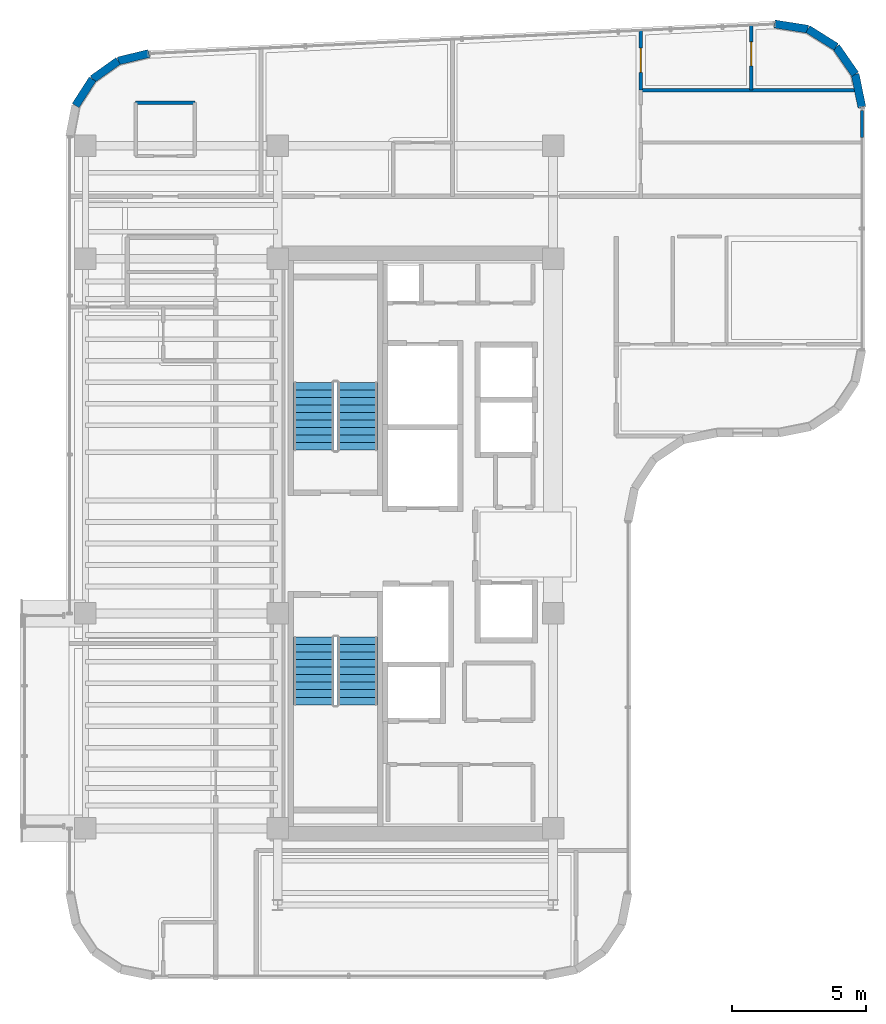
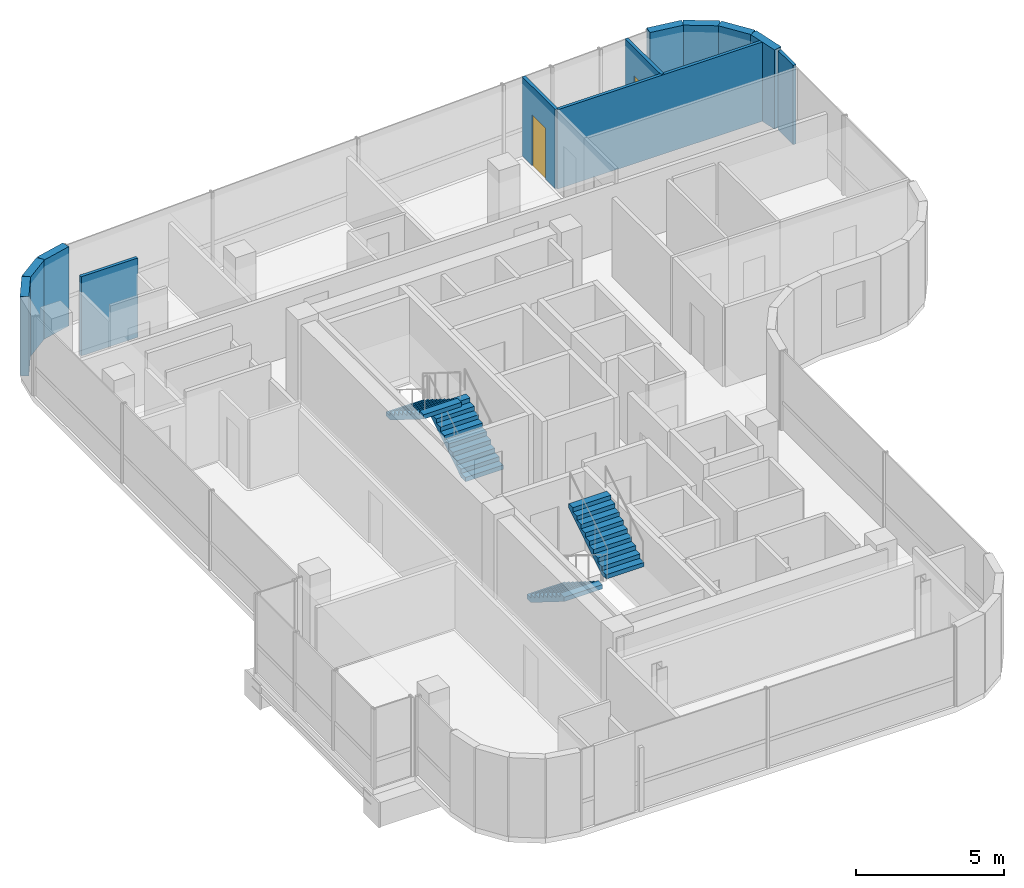
# One storey, part 17 of 19: 12 walls, 4 stair flights, 2 doors, 2 openings, 2 elements without a shape of their own.
"""IFC4 building model written with IfcOpenShell, lengths in metres."""

import ifcopenshell
import ifcopenshell.guid

model = None  # the IFC model being written
_history = None  # IfcOwnerHistory: only IFC2X3 demands one
_inside = {}  # id of a spatial element -> (the spatial element, [elements in it])
_under = {}  # id of a project, library or spatial element -> (it, [spatial elements below it])
_declared = {}  # id of a project -> (the project, [libraries it declares])
_typed = {}  # id of a type object -> (the type object, [elements of that type])
_made_of = {}  # id of a material, layer set ... -> (it, [elements and type objects made of it])


def new_model(schema):
    """Start an empty IFC model of exactly this schema.

    Asked for "IFC4X3", IfcOpenShell would pick the latest addendum, in which some entities
    have other attributes; the version numbers below select the first issue.
    IFC2X3 requires an IfcOwnerHistory on every rooted entity: one is made here for all.
    """
    global model, _history
    if schema == "IFC4X3":
        model = ifcopenshell.file(schema_version=(4, 3, 0, 0))
    else:
        model = ifcopenshell.file(schema=schema)
    _inside.clear()
    _under.clear()
    _declared.clear()
    _typed.clear()
    _made_of.clear()
    _history = None
    if model.schema == "IFC2X3":
        org = make("IfcOrganization", Name="unknown")
        user = make(
            "IfcPersonAndOrganization",
            ThePerson=make("IfcPerson", FamilyName="unknown"),
            TheOrganization=org,
        )
        app = make(
            "IfcApplication",
            ApplicationDeveloper=org,
            Version="unknown",
            ApplicationFullName="unknown",
            ApplicationIdentifier="unknown",
        )
        _history = make(
            "IfcOwnerHistory",
            OwningUser=user,
            OwningApplication=app,
            ChangeAction="ADDED",
            CreationDate=0,
        )
    return model


def make(cls, **values):
    """One entity of the class cls with the attributes given. An attribute that is None is left unset."""
    return model.create_entity(
        cls, **{name: value for name, value in values.items() if value is not None}
    )


def rooted(cls, **values):
    """An entity with a GlobalId (a new one), such as an element, a storey or a relation."""
    return make(cls, GlobalId=ifcopenshell.guid.new(), OwnerHistory=_history, **values)


def si_unit(unit_type, name, prefix=None):
    """IfcSIUnit, for example si_unit("LENGTHUNIT", "METRE", prefix="MILLI")."""
    return make("IfcSIUnit", UnitType=unit_type, Prefix=prefix, Name=name)


def assignment(units):
    """IfcUnitAssignment: the units of a project."""
    return None if units is None else make("IfcUnitAssignment", Units=units)


def point(xyz):
    """IfcCartesianPoint."""
    return None if xyz is None else make("IfcCartesianPoint", Coordinates=xyz)


def direction(xyz):
    """IfcDirection."""
    return None if xyz is None else make("IfcDirection", DirectionRatios=xyz)


def frame(location, z_axis=None, x_axis=None):
    """IfcAxis2Placement3D, a coordinate frame: its origin and axes. An axis left out is left unset."""
    return make(
        "IfcAxis2Placement3D",
        Location=point(location),
        Axis=direction(z_axis),
        RefDirection=direction(x_axis),
    )


def frame_2d(location, x_axis=None):
    """IfcAxis2Placement2D, a coordinate frame in the plane: its origin and x axis."""
    return make(
        "IfcAxis2Placement2D", Location=point(location), RefDirection=direction(x_axis)
    )


def origin():
    """The frame at (0, 0, 0) with its axes left unset."""
    return frame((0.0, 0.0, 0.0))


def place(relative_to, where):
    """IfcLocalPlacement: puts the frame where relative to a parent placement (None: the world)."""
    return make(
        "IfcLocalPlacement", PlacementRelTo=relative_to, RelativePlacement=where
    )


def context(
    kind, dimensions, precision=None, world=None, true_north=None, identifier=None
):
    """IfcGeometricRepresentationContext, for example the 3D "Model" context."""
    return make(
        "IfcGeometricRepresentationContext",
        ContextIdentifier=identifier,
        ContextType=kind,
        CoordinateSpaceDimension=dimensions,
        Precision=precision,
        WorldCoordinateSystem=world,
        TrueNorth=true_north,
    )


def subcontext(parent, identifier, kind, view, scale=None):
    """IfcGeometricRepresentationSubContext, for example "Body" below "Model"."""
    return make(
        "IfcGeometricRepresentationSubContext",
        ContextIdentifier=identifier,
        ContextType=kind,
        ParentContext=parent,
        TargetScale=scale,
        TargetView=view,
    )


def project(units=None, contexts=None):
    """IfcProject with its units and contexts."""
    return rooted(
        "IfcProject",
        Name="project",
        RepresentationContexts=contexts,
        UnitsInContext=assignment(units),
    )


def spatial(cls, under=None, at=None, **own):
    """A site, building, storey or space (cls), placed at a placement, below another one or the project."""
    s = rooted(cls, ObjectPlacement=at, **own)
    if under is not None:
        _under.setdefault(under.id(), (under, []))[1].append(s)
    return s


def polyline(points):
    """IfcPolyline through the points."""
    return make("IfcPolyline", Points=[point(p) for p in points])


def profile(cls, at=None, kind="AREA", **sizes):
    """A parametric profile (cls). Its sizes go by their IFC names, for example OverallWidth=200.0."""
    return make(cls, ProfileType=kind, Position=at, **sizes)


def rectangle(**sizes):
    """IfcRectangleProfileDef."""
    return profile("IfcRectangleProfileDef", **sizes)


def outline(outer, holes=None, kind="AREA"):
    """IfcArbitraryClosedProfileDef: a profile drawn as a closed curve; with holes, ...WithVoids."""
    if holes is None:
        return make("IfcArbitraryClosedProfileDef", ProfileType=kind, OuterCurve=outer)
    return make(
        "IfcArbitraryProfileDefWithVoids",
        ProfileType=kind,
        OuterCurve=outer,
        InnerCurves=holes,
    )


def extrude(swept, where, along, depth):
    """IfcExtrudedAreaSolid: the profile swept, set in the frame where, extruded along a direction by depth."""
    return make(
        "IfcExtrudedAreaSolid",
        SweptArea=swept,
        Position=where,
        ExtrudedDirection=direction(along),
        Depth=depth,
    )


def shape(context_of_items, identifier, shape_type, items):
    """IfcShapeRepresentation: the items that make up one representation, for example the "Body"."""
    return make(
        "IfcShapeRepresentation",
        ContextOfItems=context_of_items,
        RepresentationIdentifier=identifier,
        RepresentationType=shape_type,
        Items=items,
    )


def material(Name=None, Category=None):
    """IfcMaterial."""
    return make("IfcMaterial", Name=Name, Category=Category)


def layer(
    of_material, thickness, ventilated=None, Name=None, Category=None, Priority=None
):
    """IfcMaterialLayer: one layer of a wall or slab, of a material (None: an air gap)."""
    return make(
        "IfcMaterialLayer",
        Material=of_material,
        LayerThickness=thickness,
        IsVentilated=ventilated,
        Name=Name,
        Category=Category,
        Priority=Priority,
    )


def layer_set(layers, Name=None):
    """IfcMaterialLayerSet."""
    return make("IfcMaterialLayerSet", MaterialLayers=layers, LayerSetName=Name)


def made_of(thing, what):
    """Note that an element or type object is made of a material, layer set ...; save() writes the relation."""
    if what is not None:
        _made_of.setdefault(what.id(), (what, []))[1].append(thing)
    return thing


def type_object(cls, material=None, **own):
    """A type object (cls), such as IfcWallType, which elements share."""
    return made_of(rooted(cls, **own), material)


def element(
    cls,
    number,
    at=None,
    inside=None,
    cuts=None,
    type_object=None,
    material=None,
    context=None,
    identifier="Body",
    shape_type=None,
    held_by="IfcProductDefinitionShape",
    body=None,
    shapes=None,
    **own,
):
    """One element of the class cls, such as IfcWall. Its Tag is "e" and its number.

    at: its placement. inside: the storey or other place that contains it. cuts: it is an
    opening in that element (IfcRelVoidsElement). A single representation is given by context,
    identifier, shape_type and body (its items); several are given by shapes. held_by: the class
    of the entity that holds the representations. save() writes the other relations.
    """
    e = rooted(cls, Tag="e%d" % number, ObjectPlacement=at, **own)
    if body is not None:
        shapes = [shape(context, identifier, shape_type, body)]
    if shapes is not None:
        e.Representation = make(held_by, Representations=shapes)
    if inside is not None:
        _inside.setdefault(inside.id(), (inside, []))[1].append(e)
    if cuts is not None:
        rooted(
            "IfcRelVoidsElement", RelatingBuildingElement=cuts, RelatedOpeningElement=e
        )
    if type_object is not None:
        _typed.setdefault(type_object.id(), (type_object, []))[1].append(e)
    return made_of(e, material)


def fill(opening, filler):
    """IfcRelFillsElement: the door or window that sits in an opening."""
    return rooted(
        "IfcRelFillsElement",
        RelatingOpeningElement=opening,
        RelatedBuildingElement=filler,
    )


def aggregate(whole, parts):
    """IfcRelAggregates: a whole, such as a stair, and the parts it consists of."""
    return rooted("IfcRelAggregates", RelatingObject=whole, RelatedObjects=parts)


def save(model, path):
    """Write the relations noted so far, then the file.

    IfcRelAggregates (storeys below a building ...), IfcRelContainedInSpatialStructure (elements
    in a storey), IfcRelDefinesByType, IfcRelAssociatesMaterial and IfcRelDeclares: one each for
    every whole, place, type object, material and project.
    """
    for whole, parts in _under.values():
        aggregate(whole, parts)
    for where, things in _inside.values():
        rooted(
            "IfcRelContainedInSpatialStructure",
            RelatedElements=things,
            RelatingStructure=where,
        )
    for kind, things in _typed.values():
        rooted("IfcRelDefinesByType", RelatedObjects=things, RelatingType=kind)
    for what, things in _made_of.values():
        rooted("IfcRelAssociatesMaterial", RelatedObjects=things, RelatingMaterial=what)
    for by, libraries in _declared.values():
        rooted("IfcRelDeclares", RelatingContext=by, RelatedDefinitions=libraries)
    model.write(path)


model = new_model("IFC4")

# Units and contexts
model_context = context("Model", 3, precision=1e-05, world=origin(), true_north=direction((0.0, 1.0)))
body_context = subcontext(model_context, "Body", "Model", "MODEL_VIEW")
ifc_project = project(units=[si_unit("LENGTHUNIT", "METRE"), si_unit("AREAUNIT", "SQUARE_METRE"), si_unit("VOLUMEUNIT", "CUBIC_METRE"), si_unit("PLANEANGLEUNIT", "RADIAN"), si_unit("MASSUNIT", "GRAM", prefix="KILO")], contexts=[model_context])

# Site, building, storey
site_placement = place(None, origin())
site = spatial("IfcSite", under=ifc_project, at=site_placement, CompositionType="ELEMENT")
building_placement = place(site_placement, origin())
building = spatial("IfcBuilding", under=site, at=building_placement, Name="Valdorenza Pilgrim Sanctuary Tower", CompositionType="ELEMENT")
storey_placement = place(building_placement, frame((0.0, 0.0, 266.0)))
storey = spatial("IfcBuildingStorey", under=building, at=storey_placement, Name="L69", CompositionType="ELEMENT", Elevation=266.0)

# Walls
ifc_material_1 = material(Name="Honed travertine limestone", Category="masonry")
ifc_layer_1 = layer(ifc_material_1, 0.300048828125, Name="Honed travertine limestone")
ifc_layer_set_1 = layer_set([ifc_layer_1], Name="Honed travertine limestone")
wall_type_1 = type_object("IfcWallType", Name="WAL-EXT-300", PredefinedType="SOLIDWALL", material=ifc_layer_set_1)
wall_1_placement = place(storey_placement, frame((-30.16650390625, 16.29541015625, 0.0), z_axis=(0.0, 0.0, 1.0), x_axis=(0.540842020947, 0.841124193195, 0.0)))
element("IfcWall", 1, at=wall_1_placement, inside=storey, type_object=wall_type_1, Name="L69 Rounded Wind-Corner Stone Pier 3", PredefinedType="SOLIDWALL", context=body_context, shape_type="SweptSolid", body=[
    extrude(rectangle(XDim=1.169189453125, YDim=0.300048828125, at=frame_2d((0.58447265625, 0.0))), origin(), (0.0, 0.0, 1.0), 3.260009765625),
])
wall_2_placement = place(storey_placement, frame((-29.5341796875, 17.27880859375, 0.0), z_axis=(0.0, 0.0, 1.0), x_axis=(0.81466371606, 0.579933642527, 0.0)))
element("IfcWall", 2, at=wall_2_placement, inside=storey, type_object=wall_type_1, Name="L69 Rounded Wind-Corner Stone Pier 4", PredefinedType="SOLIDWALL", context=body_context, shape_type="SweptSolid", body=[
    extrude(rectangle(XDim=1.1689453125, YDim=0.300048828125, at=frame_2d((0.58447265625, 0.0))), origin(), (0.0, 0.0, 1.0), 3.260009765625),
])
wall_3_placement = place(storey_placement, frame((-28.581787109375, 17.956787109375, 0.0), z_axis=(0.0, 0.0, 1.0), x_axis=(0.971929016595, 0.235274279725, 0.0)))
element("IfcWall", 3, at=wall_3_placement, inside=storey, type_object=wall_type_1, Name="L69 Rounded Wind-Corner Stone Pier 5", PredefinedType="SOLIDWALL", context=body_context, shape_type="SweptSolid", body=[
    extrude(rectangle(XDim=1.179931640625, YDim=0.300048828125, at=frame_2d((0.58984375, 0.0))), origin(), (0.0, 0.0, 1.0), 3.260009765625),
])
wall_4_placement = place(storey_placement, frame((-4.15673828125, 19.331787109375, 0.0), z_axis=(0.0, 0.0, 1.0), x_axis=(0.987969236552, -0.15465053387, 0.0)))
element("IfcWall", 4, at=wall_4_placement, inside=storey, type_object=wall_type_1, Name="L69 Rounded Wind-Corner Stone Pier 7", PredefinedType="SOLIDWALL", context=body_context, shape_type="SweptSolid", body=[
    extrude(rectangle(XDim=1.251953125, YDim=0.300048828125, at=frame_2d((0.6259765625, 0.0))), origin(), (0.0, 0.0, 1.0), 3.260009765625),
])
for number, where, z_axis, x_axis, name in (
    (5, (-2.919921875, 19.13818359375, 0.0), (0.0, 0.0, 1.0), (0.847489288141, -0.530812496543, 0.0), "L69 Rounded Wind-Corner Stone Pier 8"),
    (6, (-1.86865234375, 18.479736328125, 0.0), (0.0, 0.0, 1.0), (0.570181861951, -0.821518499063, 0.0), "L69 Rounded Wind-Corner Stone Pier 9"),
):
    element("IfcWall", number, at=place(storey_placement, frame(where, z_axis=z_axis, x_axis=x_axis)), inside=storey, type_object=wall_type_1, Name=name, PredefinedType="SOLIDWALL", context=body_context, shape_type="SweptSolid", body=[
        extrude(rectangle(XDim=1.240478515625, YDim=0.300048828125, at=frame_2d((0.6201171875, 0.0))), origin(), (0.0, 0.0, 1.0), 3.260009765625),
    ])
wall_5_placement = place(storey_placement, frame((-1.161376953125, 17.460693359375, 0.0), z_axis=(0.0, 0.0, 1.0), x_axis=(0.20087696073, -0.979616479367, 0.0)))
element("IfcWall", 7, at=wall_5_placement, inside=storey, type_object=wall_type_1, Name="L69 Rounded Wind-Corner Stone Pier 10", PredefinedType="SOLIDWALL", context=body_context, shape_type="SweptSolid", body=[
    extrude(rectangle(XDim=1.251953125, YDim=0.300048828125, at=frame_2d((0.6259765625, 0.0))), origin(), (0.0, 0.0, 1.0), 3.260009765625),
])
ifc_material_2 = material(Name="Moisture-resistant gypsum partition", Category="gypsum")
ifc_layer_2 = layer(ifc_material_2, 0.1201171875, Name="Moisture-resistant gypsum partition")
ifc_layer_set_2 = layer_set([ifc_layer_2], Name="Moisture-resistant gypsum partition")
wall_type_2 = type_object("IfcWallType", Name="WAL-INT-120", PredefinedType="PARTITIONING", material=ifc_layer_set_2)
wall_6_placement = place(storey_placement, frame((-27.929931640625, 16.404052734375, 0.0), z_axis=(0.0, 0.0, 1.0), x_axis=(1.0, 0.0, 0.0)))
element("IfcWall", 8, at=wall_6_placement, inside=storey, type_object=wall_type_2, Name="L69 North Family Guest Room L69-N1A En-suite Back Wall", PredefinedType="PARTITIONING", context=body_context, shape_type="SweptSolid", body=[
    extrude(rectangle(XDim=2.199951171875, YDim=0.1201171875, at=frame_2d((1.10009765625, 0.0))), origin(), (0.0, 0.0, 1.0), 3.260009765625),
])
wall_7_placement = place(storey_placement, frame((-9.1396484375, 16.8701171875, 0.0), z_axis=(0.0, 0.0, 1.0), x_axis=(1.0, 0.0, 0.0)))
element("IfcWall", 9, at=wall_7_placement, inside=storey, type_object=wall_type_2, Name="L69 North Family Flat L69-N2 Kitchen-Bedroom Wall", PredefinedType="PARTITIONING", context=body_context, shape_type="SweptSolid", body=[
    extrude(rectangle(XDim=7.9716796875, YDim=0.1201171875, at=frame_2d((3.98583984375, 0.0))), origin(), (0.0, 0.0, 1.0), 3.260009765625),
])

# Wall, opening, door
wall_8_placement = place(storey_placement, frame((-9.1396484375, 16.8701171875, 0.0), z_axis=(0.0, 0.0, 1.0), x_axis=(0.0, 1.0, 0.0)))
wall_8 = element("IfcWall", 10, at=wall_8_placement, inside=storey, type_object=wall_type_2, Name="L69 North Family Flat L69-N2 Bedroom Door Wall", PredefinedType="PARTITIONING", context=body_context, shape_type="SweptSolid", body=[
    extrude(rectangle(XDim=2.2265625, YDim=0.1201171875, at=frame_2d((1.11328125, 0.0))), origin(), (0.0, 0.0, 1.0), 3.260009765625),
])
opening_1_placement = place(wall_8_placement, frame((0.6630859375, 0.0, 0.0)))
opening_1 = element("IfcOpeningElement", 11, at=opening_1_placement, cuts=wall_8, Name="Opening DR-RM1", PredefinedType="OPENING", context=body_context, shape_type="SweptSolid", body=[
    extrude(rectangle(XDim=0.89990234375, YDim=2.10009765625, at=frame_2d((0.449951171875, 1.050048828125))), frame((0.0, 0.074951171875, 0.0), z_axis=(0.0, -1.0, 0.0), x_axis=(1.0, 0.0, 0.0)), (0.0, 0.0, 1.0), 0.14990234375),
])
ifc_material_3 = material(Name="Solid-core European oak timber", Category="wood")
door_type = type_object("IfcDoorType", Name="DR-ROOM-900", OperationType="NOTDEFINED", PredefinedType="DOOR", material=ifc_material_3)
door_1_placement = place(opening_1_placement, frame((0.89990234375, 0.0, 0.0), z_axis=(0.0, 0.0, 1.0), x_axis=(-1.0, 0.0, 0.0)))
door_1 = element("IfcDoor", 12, at=door_1_placement, inside=storey, type_object=door_type, Name="L69 North Family Flat L69-N2 Bedroom 1 Door", OperationType="SINGLE_SWING_LEFT", OverallHeight=2.10009765625, OverallWidth=0.89990234375, PredefinedType="DOOR", context=body_context, shape_type="SweptSolid", body=[
    extrude(rectangle(XDim=0.89990234375, YDim=2.10009765625, at=frame_2d((0.449951171875, 1.050048828125))), frame((0.0, 0.02490234375, 0.0), z_axis=(0.0, -1.0, 0.0), x_axis=(1.0, 0.0, 0.0)), (0.0, 0.0, 1.0), 0.050048828125),
])
fill(opening_1, door_1)

wall_9_placement = place(storey_placement, frame((-5.02490234375, 16.8701171875, 0.0), z_axis=(0.0, 0.0, 1.0), x_axis=(0.0, 1.0, 0.0)))
wall_9 = element("IfcWall", 13, at=wall_9_placement, inside=storey, type_object=wall_type_2, Name="L69 North Family Flat L69-N2 Bedroom 2 Wall", PredefinedType="PARTITIONING", context=body_context, shape_type="SweptSolid", body=[
    extrude(rectangle(XDim=2.420654296875, YDim=0.1201171875, at=frame_2d((1.21044921875, 0.0))), origin(), (0.0, 0.0, 1.0), 3.260009765625),
])
opening_2_placement = place(wall_9_placement, frame((0.89990234375, 0.0, 0.0)))
opening_2 = element("IfcOpeningElement", 14, at=opening_2_placement, cuts=wall_9, Name="Opening DR-RM1", PredefinedType="OPENING", context=body_context, shape_type="SweptSolid", body=[
    extrude(rectangle(XDim=0.89990234375, YDim=2.10009765625, at=frame_2d((0.449951171875, 1.050048828125))), frame((0.0, 0.074951171875, 0.0), z_axis=(0.0, -1.0, 0.0), x_axis=(1.0, 0.0, 0.0)), (0.0, 0.0, 1.0), 0.14990234375),
])
door_2_placement = place(opening_2_placement, origin())
door_2 = element("IfcDoor", 15, at=door_2_placement, inside=storey, type_object=door_type, Name="L69 North Family Flat L69-N2 Bedroom 2 Door", OperationType="SINGLE_SWING_RIGHT", OverallHeight=2.10009765625, OverallWidth=0.89990234375, PredefinedType="DOOR", context=body_context, shape_type="SweptSolid", body=[
    extrude(rectangle(XDim=0.89990234375, YDim=2.10009765625, at=frame_2d((0.449951171875, 1.050048828125))), frame((0.0, 0.02490234375, 0.0), z_axis=(0.0, -1.0, 0.0), x_axis=(1.0, 0.0, 0.0)), (0.0, 0.0, 1.0), 0.050048828125),
])
fill(opening_2, door_2)

# Wall
wall_10_placement = place(storey_placement, frame((-0.909912109375, 15.10009765625, 0.0), z_axis=(0.0, 0.0, 1.0), x_axis=(0.0, 1.0, 0.0)))
element("IfcWall", 16, at=wall_10_placement, inside=storey, type_object=wall_type_2, Name="L69 NW-FL2-BTH Enclosure Wall E", PredefinedType="PARTITIONING", context=body_context, shape_type="SweptSolid", body=[
    extrude(rectangle(XDim=1.01171875, YDim=0.1201171875, at=frame_2d((0.505859375, 0.0))), origin(), (0.0, 0.0, 1.0), 3.260009765625),
])

# Stair, stair flights
ifc_material_4 = material(Name="Concrete C40/50", Category="concrete")
stair_type = type_object("IfcStairType", Name="STR-DOG-CORE", PredefinedType="HALF_TURN_STAIR", material=ifc_material_4)
stair_1_placement = place(storey_placement, origin())
stair_1 = element("IfcStair", 17, at=stair_1_placement, inside=storey, type_object=stair_type, Name="L69 ST-A1", PredefinedType="HALF_TURN_STAIR")
stair_flight_type = type_object("IfcStairFlightType", Name="STF-RC-1400", PredefinedType="STRAIGHT", material=ifc_material_4)
stair_flight_1_placement = place(storey_placement, frame((-19.679931640625, 3.47998046875, 0.0), z_axis=(0.0, 0.0, 1.0), x_axis=(0.0, 1.0, 0.0)))
stair_flight_1 = element("IfcStairFlight", 18, at=stair_flight_1_placement, type_object=stair_flight_type, Name="ST-A1 flight 1", NumberOfRisers=10, NumberOfTreads=9, PredefinedType="STRAIGHT", RiserHeight=0.175, TreadLength=0.28, context=body_context, shape_type="SweptSolid", body=[
    extrude(outline(polyline([(0.0, 0.0), (0.0, 0.175048828125), (0.280029296875, 0.175048828125), (0.280029296875, 0.35009765625), (0.56005859375, 0.35009765625), (0.56005859375, 0.52490234375), (0.840087890625, 0.52490234375), (0.840087890625, 0.699951171875), (1.1201171875, 0.699951171875), (1.1201171875, 0.875), (1.39990234375, 0.875), (1.39990234375, 1.050048828125), (1.679931640625, 1.050048828125), (1.679931640625, 1.22509765625), (1.9599609375, 1.22509765625), (1.9599609375, 1.39990234375), (2.239990234375, 1.39990234375), (2.239990234375, 1.574951171875), (2.52001953125, 1.574951171875), (2.52001953125, 1.75), (2.52001953125, 1.398193359375), (0.28271484375, 0.0), (0.0, 0.0)])), frame((0.0, 0.739990234375, 0.0), z_axis=(0.0, -1.0, 0.0), x_axis=(1.0, 0.0, 0.0)), (0.0, 0.0, 1.0), 1.47998046875),
])
stair_flight_2_placement = place(storey_placement, frame((-21.31005859375, 6.0, 1.75), z_axis=(0.0, 0.0, 1.0), x_axis=(0.0, -1.0, 0.0)))
stair_flight_2 = element("IfcStairFlight", 19, at=stair_flight_2_placement, type_object=stair_flight_type, Name="ST-A1 flight 2", NumberOfRisers=10, NumberOfTreads=9, PredefinedType="STRAIGHT", RiserHeight=0.175, TreadLength=0.28, context=body_context, shape_type="SweptSolid", body=[
    extrude(outline(polyline([(0.0, 0.0), (0.0, 0.175048828125), (0.280029296875, 0.175048828125), (0.280029296875, 0.35009765625), (0.56005859375, 0.35009765625), (0.56005859375, 0.52490234375), (0.840087890625, 0.52490234375), (0.840087890625, 0.699951171875), (1.1201171875, 0.699951171875), (1.1201171875, 0.875), (1.39990234375, 0.875), (1.39990234375, 1.050048828125), (1.679931640625, 1.050048828125), (1.679931640625, 1.22509765625), (1.9599609375, 1.22509765625), (1.9599609375, 1.39990234375), (2.239990234375, 1.39990234375), (2.239990234375, 1.574951171875), (2.52001953125, 1.574951171875), (2.52001953125, 1.75), (2.52001953125, 1.398193359375), (0.28271484375, 0.0), (0.0, 0.0)])), frame((0.0, 0.739990234375, 0.0), z_axis=(0.0, -1.0, 0.0), x_axis=(1.0, 0.0, 0.0)), (0.0, 0.0, 1.0), 1.47998046875),
])
aggregate(stair_1, [stair_flight_1, stair_flight_2])

stair_2_placement = place(storey_placement, origin())
stair_2 = element("IfcStair", 20, at=stair_2_placement, inside=storey, type_object=stair_type, Name="L69 ST-A2", PredefinedType="HALF_TURN_STAIR")
stair_flight_3_placement = place(storey_placement, frame((-21.31005859375, -3.47998046875, 0.0), z_axis=(0.0, 0.0, 1.0), x_axis=(0.0, -1.0, 0.0)))
stair_flight_3 = element("IfcStairFlight", 21, at=stair_flight_3_placement, type_object=stair_flight_type, Name="ST-A2 flight 1", NumberOfRisers=10, NumberOfTreads=9, PredefinedType="STRAIGHT", RiserHeight=0.175, TreadLength=0.28, context=body_context, shape_type="SweptSolid", body=[
    extrude(outline(polyline([(0.0, 0.0), (0.0, 0.175048828125), (0.280029296875, 0.175048828125), (0.280029296875, 0.35009765625), (0.56005859375, 0.35009765625), (0.56005859375, 0.52490234375), (0.840087890625, 0.52490234375), (0.840087890625, 0.699951171875), (1.1201171875, 0.699951171875), (1.1201171875, 0.875), (1.39990234375, 0.875), (1.39990234375, 1.050048828125), (1.679931640625, 1.050048828125), (1.679931640625, 1.22509765625), (1.9599609375, 1.22509765625), (1.9599609375, 1.39990234375), (2.239990234375, 1.39990234375), (2.239990234375, 1.574951171875), (2.52001953125, 1.574951171875), (2.52001953125, 1.75), (2.52001953125, 1.398193359375), (0.28271484375, 0.0), (0.0, 0.0)])), frame((0.0, 0.739990234375, 0.0), z_axis=(0.0, -1.0, 0.0), x_axis=(1.0, 0.0, 0.0)), (0.0, 0.0, 1.0), 1.47998046875),
])
stair_flight_4_placement = place(storey_placement, frame((-19.679931640625, -6.0, 1.75), z_axis=(0.0, 0.0, 1.0), x_axis=(0.0, 1.0, 0.0)))
stair_flight_4 = element("IfcStairFlight", 22, at=stair_flight_4_placement, type_object=stair_flight_type, Name="ST-A2 flight 2", NumberOfRisers=10, NumberOfTreads=9, PredefinedType="STRAIGHT", RiserHeight=0.175, TreadLength=0.28, context=body_context, shape_type="SweptSolid", body=[
    extrude(outline(polyline([(0.0, 0.0), (0.0, 0.175048828125), (0.280029296875, 0.175048828125), (0.280029296875, 0.35009765625), (0.56005859375, 0.35009765625), (0.56005859375, 0.52490234375), (0.840087890625, 0.52490234375), (0.840087890625, 0.699951171875), (1.1201171875, 0.699951171875), (1.1201171875, 0.875), (1.39990234375, 0.875), (1.39990234375, 1.050048828125), (1.679931640625, 1.050048828125), (1.679931640625, 1.22509765625), (1.9599609375, 1.22509765625), (1.9599609375, 1.39990234375), (2.239990234375, 1.39990234375), (2.239990234375, 1.574951171875), (2.52001953125, 1.574951171875), (2.52001953125, 1.75), (2.52001953125, 1.398193359375), (0.28271484375, 0.0), (0.0, 0.0)])), frame((0.0, 0.739990234375, 0.0), z_axis=(0.0, -1.0, 0.0), x_axis=(1.0, 0.0, 0.0)), (0.0, 0.0, 1.0), 1.47998046875),
])
aggregate(stair_2, [stair_flight_3, stair_flight_4])

save(model, "model.ifc")
